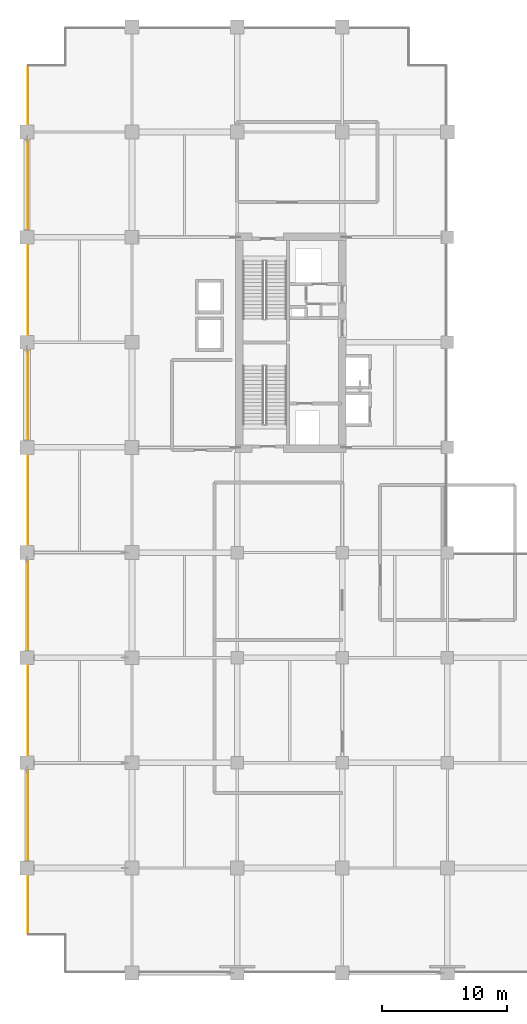
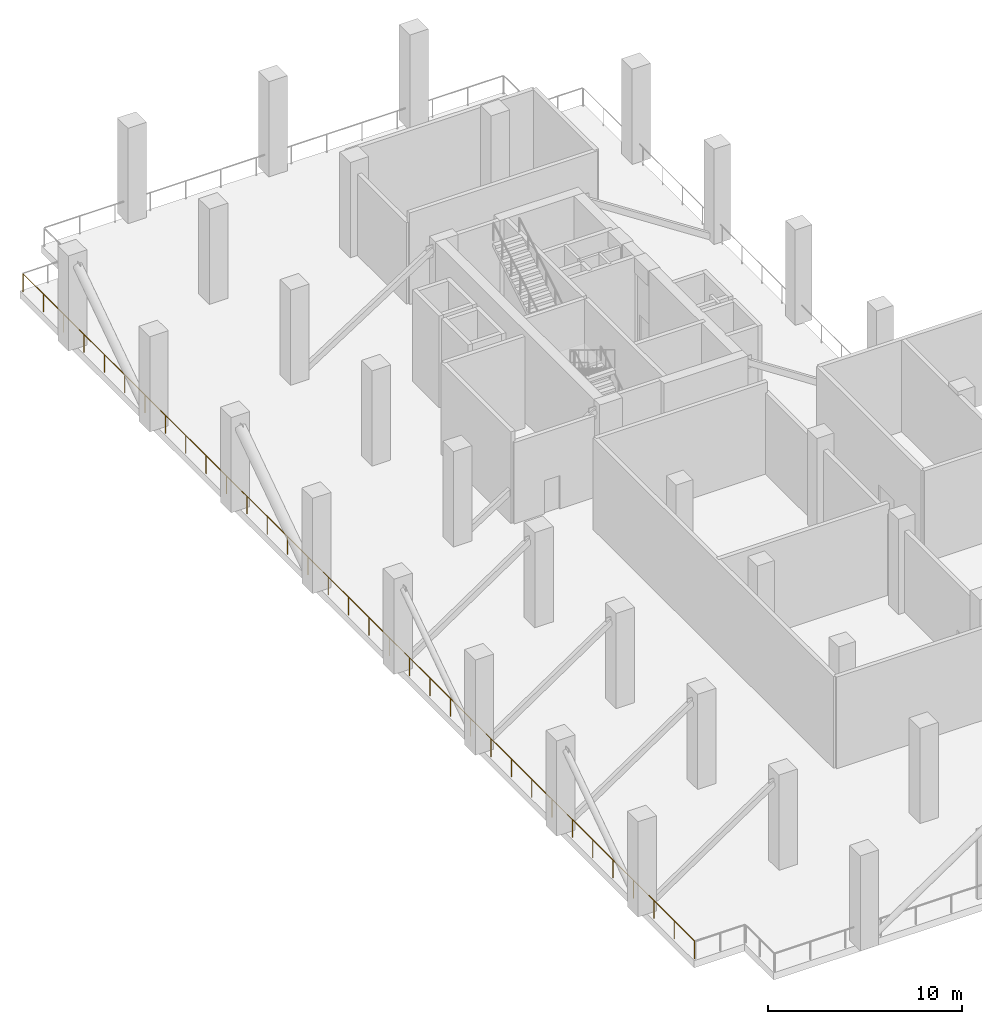
# One storey, part 16 of 18: 1 railing.
"""IFC4 building model written with IfcOpenShell, lengths in metres."""

from ifc_helpers import new_model, si_unit, direction, frame, origin, origin_2d, place, context, subcontext, project, spatial, circle, extrude, material, type_object, element, save


model = new_model("IFC4")

# Units and contexts
model_context = context("Model", 3, precision=1e-05, world=origin(), true_north=direction((0.0, 1.0)))
body_context = subcontext(model_context, "Body", "Model", "MODEL_VIEW")
ifc_project = project(units=[si_unit("LENGTHUNIT", "METRE"), si_unit("AREAUNIT", "SQUARE_METRE"), si_unit("VOLUMEUNIT", "CUBIC_METRE"), si_unit("PLANEANGLEUNIT", "RADIAN"), si_unit("MASSUNIT", "GRAM", prefix="KILO")], contexts=[model_context])

# Site, building, storey
site_placement = place(None, origin())
site = spatial("IfcSite", under=ifc_project, at=site_placement, CompositionType="ELEMENT")
building_placement = place(site_placement, origin())
building = spatial("IfcBuilding", under=site, at=building_placement, Name="Koriwani Terraces Tower", CompositionType="ELEMENT")
storey_placement = place(building_placement, frame((0.0, 0.0, 228.199951171875)))
storey = spatial("IfcBuildingStorey", under=building, at=storey_placement, Name="L56", CompositionType="ELEMENT", Elevation=228.199951171875)

# Railing
ifc_material = material(Name="Steel ASTM A572 Grade 50", Category="steel")
railing_type = type_object("IfcRailingType", Name="GUARD_BALUSTRADE_1150", PredefinedType="BALUSTRADE", material=ifc_material)
railing_placement = place(storey_placement, frame((0.10009765625, 3.135009765625, 0.0)))
element("IfcRailing", 1, at=railing_placement, inside=storey, type_object=railing_type, Name="L56 Open Wind Floor Perimeter Balustrade Segment 3", PredefinedType="BALUSTRADE", context=body_context, shape_type="SweptSolid", body=[
    extrude(circle(Radius=0.02490234375, at=origin_2d()), frame((0.0, 0.0, 1.125), z_axis=(0.0, 1.0, 0.0), x_axis=(-1.0, 0.0, 0.0)), (0.0, 0.0, 1.0), 69.330078125),
    extrude(circle(Radius=0.0224609375, at=origin_2d()), origin(), (0.0, 0.0, 1.0), 1.099853515625),
    extrude(circle(Radius=0.0224609375, at=origin_2d()), frame((0.0, 2.100830078125, 0.0)), (0.0, 0.0, 1.0), 1.099853515625),
    extrude(circle(Radius=0.0224609375, at=origin_2d()), frame((0.0, 4.201904296875, 0.0)), (0.0, 0.0, 1.0), 1.099853515625),
    extrude(circle(Radius=0.0224609375, at=origin_2d()), frame((0.0, 6.302734375, 0.0)), (0.0, 0.0, 1.0), 1.099853515625),
    extrude(circle(Radius=0.0224609375, at=origin_2d()), frame((0.0, 8.403564453125, 0.0)), (0.0, 0.0, 1.0), 1.099853515625),
    extrude(circle(Radius=0.0224609375, at=origin_2d()), frame((0.0, 10.504638671875, 0.0)), (0.0, 0.0, 1.0), 1.099853515625),
    extrude(circle(Radius=0.0224609375, at=origin_2d()), frame((0.0, 12.60546875, 0.0)), (0.0, 0.0, 1.0), 1.099853515625),
    extrude(circle(Radius=0.0224609375, at=origin_2d()), frame((0.0, 14.706298828125, 0.0)), (0.0, 0.0, 1.0), 1.099853515625),
    extrude(circle(Radius=0.0224609375, at=origin_2d()), frame((0.0, 16.807373046875, 0.0)), (0.0, 0.0, 1.0), 1.099853515625),
    extrude(circle(Radius=0.0224609375, at=origin_2d()), frame((0.0, 18.908203125, 0.0)), (0.0, 0.0, 1.0), 1.099853515625),
    extrude(circle(Radius=0.0224609375, at=origin_2d()), frame((0.0, 21.009033203125, 0.0)), (0.0, 0.0, 1.0), 1.099853515625),
    extrude(circle(Radius=0.0224609375, at=origin_2d()), frame((0.0, 23.110107421875, 0.0)), (0.0, 0.0, 1.0), 1.099853515625),
    extrude(circle(Radius=0.0224609375, at=origin_2d()), frame((0.0, 25.2109375, 0.0)), (0.0, 0.0, 1.0), 1.099853515625),
    extrude(circle(Radius=0.0224609375, at=origin_2d()), frame((0.0, 27.311767578125, 0.0)), (0.0, 0.0, 1.0), 1.099853515625),
    extrude(circle(Radius=0.0224609375, at=origin_2d()), frame((0.0, 29.412841796875, 0.0)), (0.0, 0.0, 1.0), 1.099853515625),
    extrude(circle(Radius=0.0224609375, at=origin_2d()), frame((0.0, 31.513671875, 0.0)), (0.0, 0.0, 1.0), 1.099853515625),
    extrude(circle(Radius=0.0224609375, at=origin_2d()), frame((0.0, 33.614501953125, 0.0)), (0.0, 0.0, 1.0), 1.099853515625),
    extrude(circle(Radius=0.0224609375, at=origin_2d()), frame((0.0, 35.715576171875, 0.0)), (0.0, 0.0, 1.0), 1.099853515625),
    extrude(circle(Radius=0.0224609375, at=origin_2d()), frame((0.0, 37.81640625, 0.0)), (0.0, 0.0, 1.0), 1.099853515625),
    extrude(circle(Radius=0.0224609375, at=origin_2d()), frame((0.0, 39.917236328125, 0.0)), (0.0, 0.0, 1.0), 1.099853515625),
    extrude(circle(Radius=0.0224609375, at=origin_2d()), frame((0.0, 42.018310546875, 0.0)), (0.0, 0.0, 1.0), 1.099853515625),
    extrude(circle(Radius=0.0224609375, at=origin_2d()), frame((0.0, 44.119140625, 0.0)), (0.0, 0.0, 1.0), 1.099853515625),
    extrude(circle(Radius=0.0224609375, at=origin_2d()), frame((0.0, 46.219970703125, 0.0)), (0.0, 0.0, 1.0), 1.099853515625),
    extrude(circle(Radius=0.0224609375, at=origin_2d()), frame((0.0, 48.321044921875, 0.0)), (0.0, 0.0, 1.0), 1.099853515625),
    extrude(circle(Radius=0.0224609375, at=origin_2d()), frame((0.0, 50.421875, 0.0)), (0.0, 0.0, 1.0), 1.099853515625),
    extrude(circle(Radius=0.0224609375, at=origin_2d()), frame((0.0, 52.522705078125, 0.0)), (0.0, 0.0, 1.0), 1.099853515625),
    extrude(circle(Radius=0.0224609375, at=origin_2d()), frame((0.0, 54.623779296875, 0.0)), (0.0, 0.0, 1.0), 1.099853515625),
    extrude(circle(Radius=0.0224609375, at=origin_2d()), frame((0.0, 56.724609375, 0.0)), (0.0, 0.0, 1.0), 1.099853515625),
    extrude(circle(Radius=0.0224609375, at=origin_2d()), frame((0.0, 58.825439453125, 0.0)), (0.0, 0.0, 1.0), 1.099853515625),
    extrude(circle(Radius=0.0224609375, at=origin_2d()), frame((0.0, 60.926513671875, 0.0)), (0.0, 0.0, 1.0), 1.099853515625),
    extrude(circle(Radius=0.0224609375, at=origin_2d()), frame((0.0, 63.02734375, 0.0)), (0.0, 0.0, 1.0), 1.099853515625),
    extrude(circle(Radius=0.0224609375, at=origin_2d()), frame((0.0, 65.128173828125, 0.0)), (0.0, 0.0, 1.0), 1.099853515625),
    extrude(circle(Radius=0.0224609375, at=origin_2d()), frame((0.0, 67.229248046875, 0.0)), (0.0, 0.0, 1.0), 1.099853515625),
    extrude(circle(Radius=0.0224609375, at=origin_2d()), frame((0.0, 69.330078125, 0.0)), (0.0, 0.0, 1.0), 1.099853515625),
])

save(model, "model.ifc")
